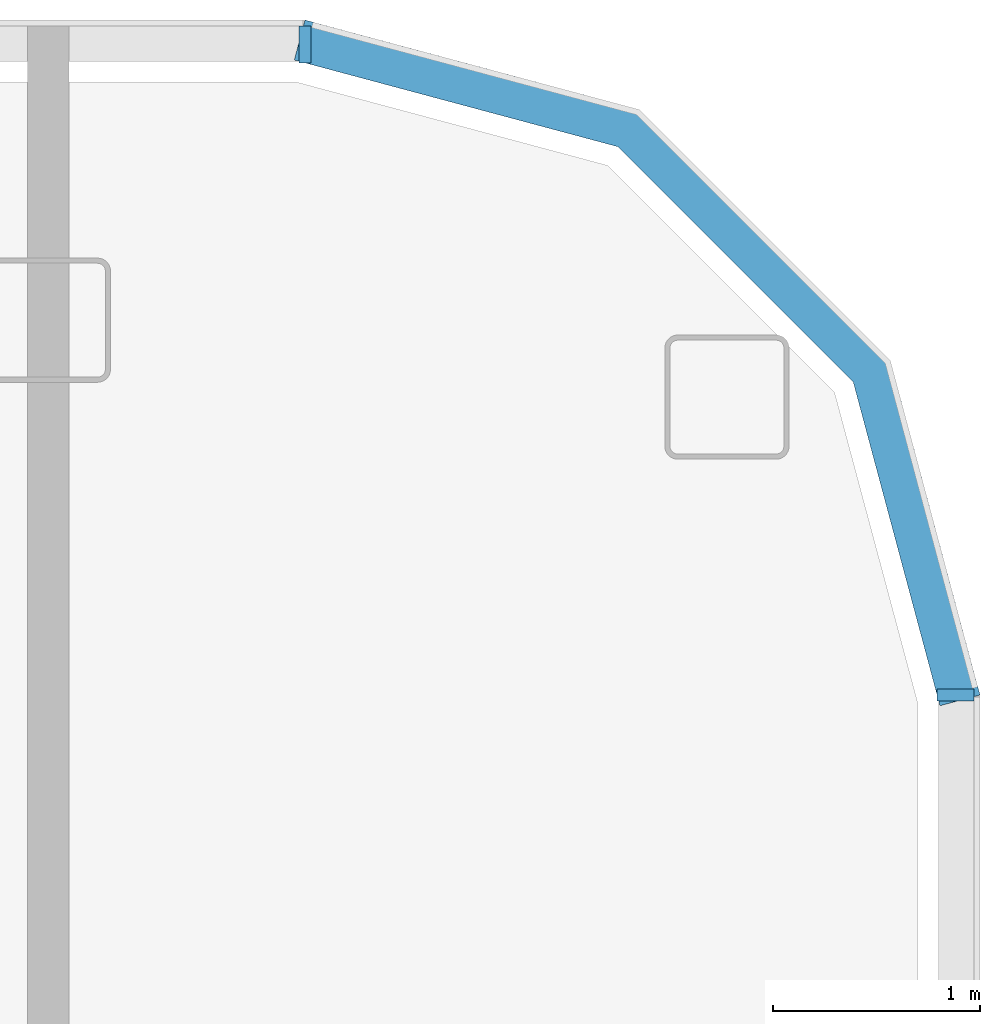
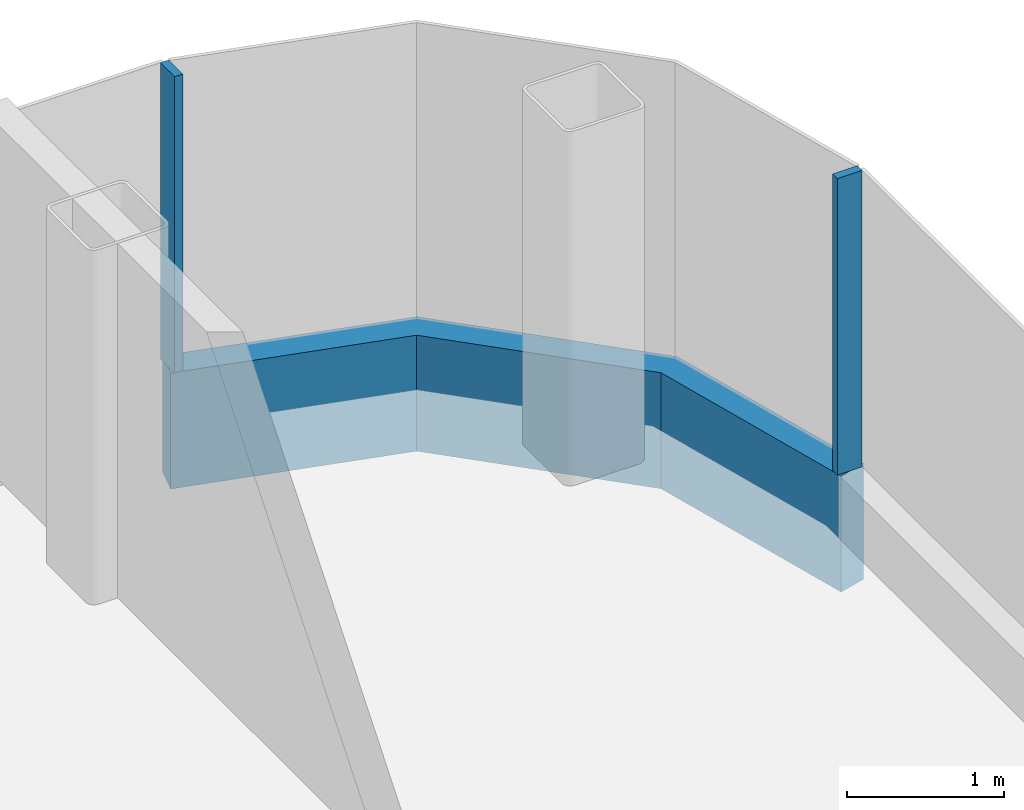
# One storey, part 11 of 26: 3 members, 3 elements without a shape of their own.
"""IFC4 building model written with IfcOpenShell, lengths in metres."""

from ifc_helpers import new_model, si_unit, direction, frame, origin, origin_2d, place, context, subcontext, project, spatial, polyline, rectangle, outline, extrude, material, layer, layer_set, material_profile, profile_set, type_object, element, aggregate, save


model = new_model("IFC4")

# Units and contexts
model_context = context("Model", 3, precision=1e-05, world=origin(), true_north=direction((0.0, 1.0)))
body_context = subcontext(model_context, "Body", "Model", "MODEL_VIEW")
ifc_project = project(units=[si_unit("LENGTHUNIT", "METRE"), si_unit("AREAUNIT", "SQUARE_METRE"), si_unit("VOLUMEUNIT", "CUBIC_METRE"), si_unit("PLANEANGLEUNIT", "RADIAN"), si_unit("MASSUNIT", "GRAM", prefix="KILO")], contexts=[model_context])

# Site, building, storey
site_placement = place(None, origin())
site = spatial("IfcSite", under=ifc_project, at=site_placement, CompositionType="ELEMENT")
building_placement = place(site_placement, origin())
building = spatial("IfcBuilding", under=site, at=building_placement, Name="Hakoniwa Tower and Hamabe Station Hall", CompositionType="ELEMENT")
storey_placement = place(building_placement, frame((0.0, 0.0, 221.800048828125)))
storey = spatial("IfcBuildingStorey", under=building, at=storey_placement, Name="L63", CompositionType="ELEMENT", Elevation=221.800048828125)

# Curtain wall, member
ifc_material_1 = material(Name="Dark low-e laminated glass", Category="glass")
ifc_layer = layer(ifc_material_1, 0.199951171875)
ifc_layer_set = layer_set([ifc_layer], Name="CW-1 UNITISED GUEST")
curtain_wall_type = type_object("IfcCurtainWallType", Name="CW-1 UNITISED GUEST", PredefinedType="NOTDEFINED", material=ifc_layer_set)
curtain_wall_1_placement = place(storey_placement, origin())
curtain_wall_1 = element("IfcCurtainWall", 1, at=curtain_wall_1_placement, inside=storey, type_object=curtain_wall_type, Name="CW-1 curtain wall", PredefinedType="NOTDEFINED")
ifc_material_2 = material(Name="Aluminium 6063-T5 black anodised", Category="aluminium")
ifc_material_profile_1 = material_profile(ifc_material_2, rectangle(XDim=0.199951171875, YDim=0.89990234375, at=origin_2d()), Name="CW SLAB-EDGE BAND 900X200")
ifc_profile_set_1 = profile_set([ifc_material_profile_1], Name="Aluminium 6063-T5 black anodised")
member_type_1 = type_object("IfcMemberType", Name="CW SLAB-EDGE BAND 900X200", PredefinedType="USERDEFINED", material=ifc_profile_set_1)
member_1_placement = place(storey_placement, frame((0.0, 0.0, -0.550048828125)))
member_1 = element("IfcMember", 2, at=member_1_placement, type_object=member_type_1, Name="CW-1 transom", ObjectType="TRANSOM", PredefinedType="USERDEFINED", context=body_context, shape_type="SweptSolid", body=[
    extrude(outline(polyline([(38.10009765625, 17.28955078125), (37.6669921875, 18.9052734375), (36.455322265625, 20.116943359375), (34.839599609375, 20.550048828125), (34.787841796875, 20.35693359375), (36.351806640625, 19.937744140625), (37.48779296875, 18.8017578125), (37.90673828125, 17.23779296875), (38.10009765625, 17.28955078125)])), origin(), (0.0, 0.0, 1.0), 0.89990234375),
])
aggregate(curtain_wall_1, [member_1])

curtain_wall_2_placement = place(storey_placement, origin())
curtain_wall_2 = element("IfcCurtainWall", 3, at=curtain_wall_2_placement, inside=storey, type_object=curtain_wall_type, Name="CW-1 curtain wall", PredefinedType="NOTDEFINED")
ifc_material_3 = material(Name="Aluminium 6063-T5 black anodised", Category="aluminium")
ifc_material_profile_2 = material_profile(ifc_material_3, rectangle(XDim=0.06005859375, YDim=0.179931640625, at=origin_2d()), Name="CW-1 MULLION 60X180")
ifc_profile_set_2 = profile_set([ifc_material_profile_2], Name="Aluminium 6063-T5 black anodised")
member_type_2 = type_object("IfcMemberType", Name="CW-1 MULLION 60X180", PredefinedType="MULLION", material=ifc_profile_set_2)
member_2_placement = place(storey_placement, frame((37.98193359375, 17.28955078125, 0.349853515625), z_axis=(0.0, 0.0, 1.0), x_axis=(0.0, 1.0, 0.0)))
member_2 = element("IfcMember", 4, at=member_2_placement, type_object=member_type_2, Name="CW-1 mullion", PredefinedType="MULLION", context=body_context, shape_type="SweptSolid", body=[
    extrude(rectangle(XDim=0.06005859375, YDim=0.179931640625, at=origin_2d()), origin(), (0.0, 0.0, 1.0), 2.300048828125),
])
aggregate(curtain_wall_2, [member_2])

curtain_wall_3_placement = place(storey_placement, origin())
curtain_wall_3 = element("IfcCurtainWall", 5, at=curtain_wall_3_placement, inside=storey, type_object=curtain_wall_type, Name="CW-1 curtain wall", PredefinedType="NOTDEFINED")
member_3_placement = place(storey_placement, frame((34.839599609375, 20.431884765625, 0.349853515625), z_axis=(0.0, 0.0, 1.0), x_axis=(-1.0, 0.0, 0.0)))
member_3 = element("IfcMember", 6, at=member_3_placement, type_object=member_type_2, Name="CW-1 mullion", PredefinedType="MULLION", context=body_context, shape_type="SweptSolid", body=[
    extrude(rectangle(XDim=0.06005859375, YDim=0.179931640625, at=origin_2d()), origin(), (0.0, 0.0, 1.0), 2.300048828125),
])
aggregate(curtain_wall_3, [member_3])

save(model, "model.ifc")
